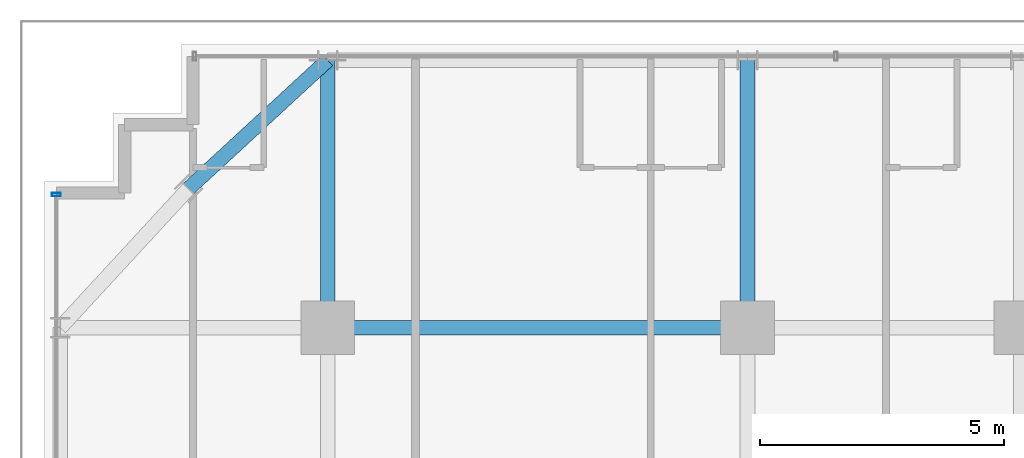
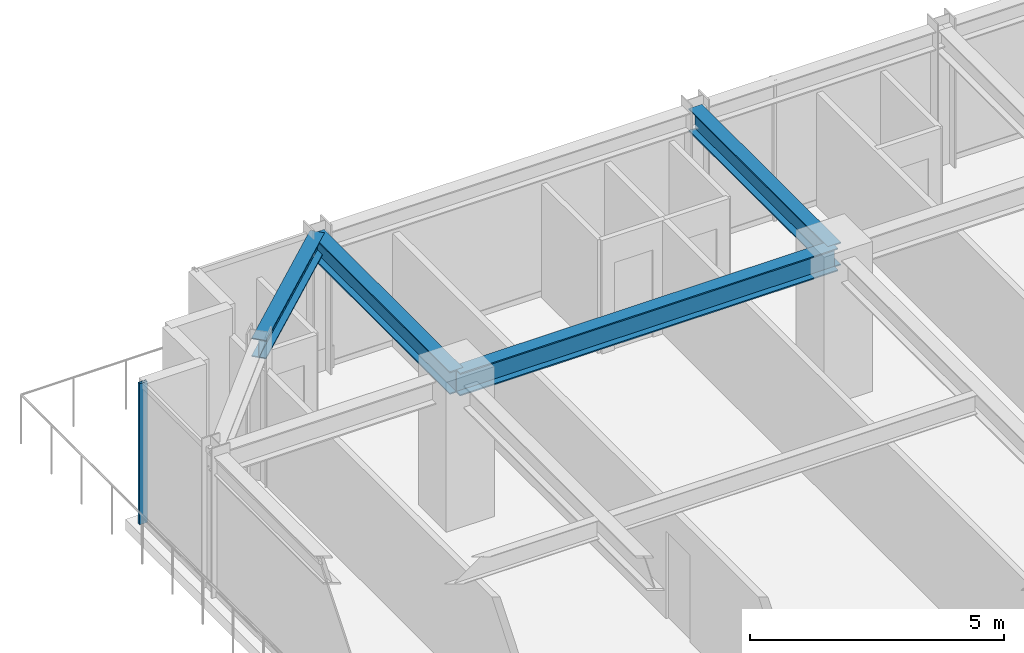
# One storey, part 15 of 33: 4 beams, 1 member, 1 element without a shape of its own.
"""IFC4 building model written with IfcOpenShell, lengths in metres."""

from ifc_helpers import new_model, si_unit, direction, frame, origin, origin_2d, place, context, subcontext, project, spatial, hollow_rectangle, i_section, extrude, source, transform, mapped, material, material_profile, profile_set, type_object, element, aggregate, save


model = new_model("IFC4")

# Units and contexts
model_context = context("Model", 3, precision=1e-05, world=origin(), true_north=direction((0.0, 1.0)))
body_context = subcontext(model_context, "Body", "Model", "MODEL_VIEW")
ifc_project = project(units=[si_unit("LENGTHUNIT", "METRE"), si_unit("AREAUNIT", "SQUARE_METRE"), si_unit("VOLUMEUNIT", "CUBIC_METRE"), si_unit("PLANEANGLEUNIT", "RADIAN"), si_unit("MASSUNIT", "GRAM", prefix="KILO")], contexts=[model_context])

# Site, building, storey
site_placement = place(None, origin())
site = spatial("IfcSite", under=ifc_project, at=site_placement, CompositionType="ELEMENT")
building_placement = place(site_placement, origin())
building = spatial("IfcBuilding", under=site, at=building_placement, Name="Nahalor Promenade Grand Hotel", CompositionType="ELEMENT")
storey_placement = place(building_placement, frame((0.0, 0.0, 149.0)))
storey = spatial("IfcBuildingStorey", under=building, at=storey_placement, Name="L37", CompositionType="ELEMENT", Elevation=149.0)

# Beams
ifc_material_1 = material(Name="Steel S355JR", Category="steel")
ifc_material_profile_1 = material_profile(ifc_material_1, i_section(OverallWidth=0.3, OverallDepth=0.55, WebThickness=0.015, FlangeThickness=0.029, at=origin_2d()), Name="HEB 550")
ifc_profile_set_1 = profile_set([ifc_material_profile_1], Name="Steel S355JR")
beam_type_1 = type_object("IfcBeamType", Name="Beam-Girder-HEB550", PredefinedType="BEAM", material=ifc_profile_set_1)
shared_shape_1 = source(origin(), body_context, "Body", "SweptSolid", [
    extrude(i_section(OverallWidth=0.3, OverallDepth=0.55, WebThickness=0.015, FlangeThickness=0.029, at=origin_2d()), origin(), (0.0, 0.0, 1.0), 8.60009765625),
])
beam_1_placement = place(storey_placement, frame((-17.0, 17.0, 3.114990234375), z_axis=(1.0, 0.0, 0.0), x_axis=(0.0, 1.0, 0.0)))
element("IfcBeam", 1, at=beam_1_placement, inside=storey, type_object=beam_type_1, Name="BM-L37-GX-3-1", PredefinedType="BEAM", context=body_context, shape_type="MappedRepresentation", body=[
    mapped(shared_shape_1, transform((0.0, 0.0, 0.0), scale=1.0)),
])
shared_shape_2 = source(origin(), body_context, "Body", "SweptSolid", [
    extrude(i_section(OverallWidth=0.3, OverallDepth=0.55, WebThickness=0.015, FlangeThickness=0.029, at=origin_2d()), origin(), (0.0, 0.0, 1.0), 5.47998046875),
])
for number, where, z_axis, x_axis, name in (
    (2, (-17.0, 17.0, 3.114990234375), (0.0, 1.0, 0.0), (-1.0, 0.0, 0.0), "BM-L37-GY-0-4"),
    (3, (-8.39990234375, 17.0, 3.114990234375), (0.0, 1.0, 0.0), (-1.0, 0.0, 0.0), "BM-L37-GY-1-4"),
):
    element("IfcBeam", number, at=place(storey_placement, frame(where, z_axis=z_axis, x_axis=x_axis)), inside=storey, type_object=beam_type_1, Name=name, PredefinedType="BEAM", context=body_context, shape_type="MappedRepresentation", body=[
        mapped(shared_shape_2, transform((0.0, 0.0, 0.0), scale=1.0)),
    ])
ifc_material_profile_2 = material_profile(ifc_material_1, i_section(OverallWidth=0.3, OverallDepth=0.45, WebThickness=0.014, FlangeThickness=0.026, at=origin_2d()), Name="HEB 450")
ifc_profile_set_2 = profile_set([ifc_material_profile_2], Name="Steel S355JR")
beam_type_2 = type_object("IfcBeamType", Name="Beam-Spandrel-HEB450", PredefinedType="SPANDREL", material=ifc_profile_set_2)
shared_shape_3 = source(origin(), body_context, "Body", "SweptSolid", [
    extrude(i_section(OverallWidth=0.3, OverallDepth=0.45, WebThickness=0.014, FlangeThickness=0.026, at=origin_2d()), origin(), (0.0, 0.0, 1.0), 3.878173828125),
])
beam_2_placement = place(storey_placement, frame((-17.0, 22.47998046875, 3.1650390625), z_axis=(-0.73492893846, -0.678144125843, 0.0), x_axis=(0.678144125843, -0.73492893846, 0.0)))
element("IfcBeam", 4, at=beam_2_placement, inside=storey, type_object=beam_type_2, Name="BM-L37-SPC-NW-1", PredefinedType="SPANDREL", context=body_context, shape_type="MappedRepresentation", body=[
    mapped(shared_shape_3, transform((0.0, 0.0, 0.0), scale=1.0)),
])

# Curtain wall, member
ifc_material_2 = material(Name="Anodised Bronze Aluminium EN AW-6063 T6", Category="aluminium")
curtain_wall_type = type_object("IfcCurtainWallType", Name="CW2 Typical Hotel Flush Bronze Unitised Curtain Wall", PredefinedType="USERDEFINED", material=ifc_material_2)
curtain_wall_placement = place(storey_placement, origin())
curtain_wall = element("IfcCurtainWall", 5, at=curtain_wall_placement, inside=storey, type_object=curtain_wall_type, Name="L37 Curtain Wall CW-L37-W-1", ObjectType="UNITISED_CURTAIN_WALL", PredefinedType="USERDEFINED")
ifc_material_profile_3 = material_profile(ifc_material_2, hollow_rectangle(XDim=0.065, YDim=0.18, WallThickness=0.004, at=origin_2d()), Name="CWM 65x180x4")
ifc_profile_set_3 = profile_set([ifc_material_profile_3], Name="Anodised Bronze Aluminium EN AW-6063 T6")
member_type = type_object("IfcMemberType", Name="CWM2 Typical Bronze Mullion 65x180", PredefinedType="MULLION", material=ifc_profile_set_3)
shared_shape_4 = source(origin(), body_context, "Body", "SweptSolid", [
    extrude(hollow_rectangle(XDim=0.065, YDim=0.18, WallThickness=0.004, at=origin_2d()), origin(), (0.0, 0.0, 1.0), 3.389892578125),
])
member_placement = place(storey_placement, frame((-22.56005859375, 19.7275390625, 0.0), z_axis=(0.0, 0.0, 1.0), x_axis=(0.0, 1.0, 0.0)))
member = element("IfcMember", 6, at=member_placement, type_object=member_type, Name="CW-L37-W-1 Mullion 3", PredefinedType="MULLION", context=body_context, shape_type="MappedRepresentation", body=[
    mapped(shared_shape_4, transform((0.0, 0.0, 0.0), scale=1.0)),
])
aggregate(curtain_wall, [member])

save(model, "model.ifc")
